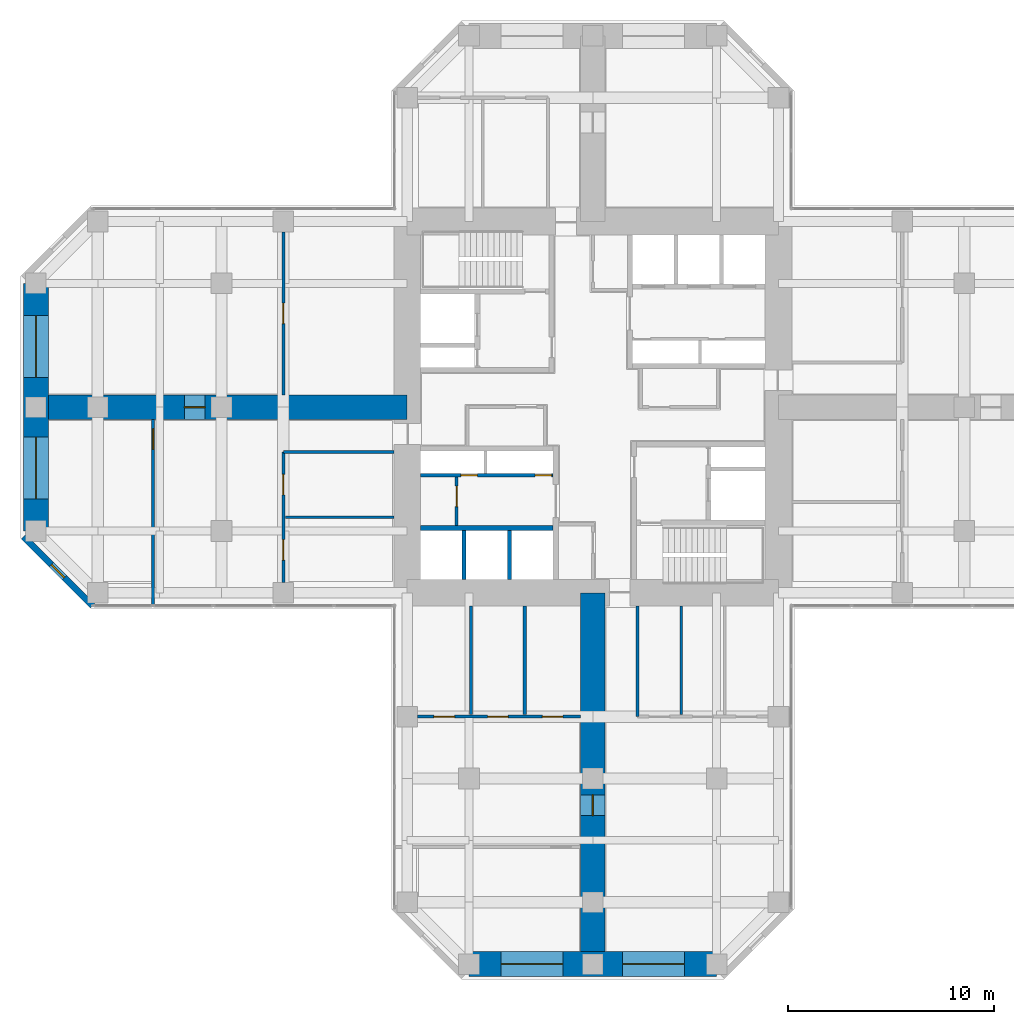
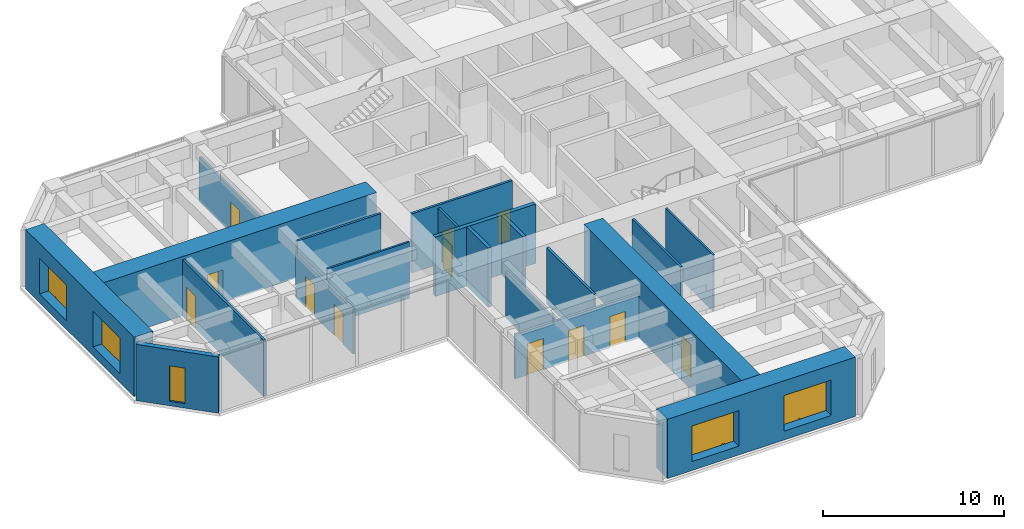
# One storey, part 8 of 12: 20 walls, 12 doors, 5 windows, 17 openings.
"""IFC4 building model written with IfcOpenShell, lengths in metres."""

from ifc_helpers import new_model, si_unit, direction, frame, frame_2d, origin, place, context, subcontext, project, spatial, rectangle, hollow_rectangle, extrude, material, layer, layer_set, constituent, constituent_set, type_object, element, fill, save


model = new_model("IFC4")

# Units and contexts
model_context = context("Model", 3, precision=1e-05, world=origin(), true_north=direction((0.0, 1.0)))
body_context = subcontext(model_context, "Body", "Model", "MODEL_VIEW")
ifc_project = project(units=[si_unit("LENGTHUNIT", "METRE"), si_unit("AREAUNIT", "SQUARE_METRE"), si_unit("VOLUMEUNIT", "CUBIC_METRE"), si_unit("PLANEANGLEUNIT", "RADIAN"), si_unit("MASSUNIT", "GRAM", prefix="KILO")], contexts=[model_context])

# Site, building, storey
site_placement = place(None, origin())
site = spatial("IfcSite", under=ifc_project, at=site_placement, CompositionType="ELEMENT")
building_placement = place(site_placement, origin())
building = spatial("IfcBuilding", under=site, at=building_placement, Name="Torre Cruceta", CompositionType="ELEMENT")
storey_placement = place(building_placement, frame((0.0, 0.0, 140.5)))
storey = spatial("IfcBuildingStorey", under=building, at=storey_placement, Name="L34", CompositionType="ELEMENT", Elevation=140.5)

# Wall
ifc_material_1 = material(Name="Concrete G60 (fck 60 MPa)", Category="concrete")
ifc_layer_1 = layer(ifc_material_1, 0.25)
ifc_layer_set_1 = layer_set([ifc_layer_1], Name="Concrete G60 (fck 60 MPa)")
wall_type_1 = type_object("IfcWallType", Name="CORE INNER WALL 250 G60", PredefinedType="SHEAR", material=ifc_layer_set_1)
wall_1_placement = place(storey_placement, frame((-1.925048828125, -5.85009765625, 0.0), z_axis=(0.0, 0.0, 1.0), x_axis=(-1.0, 0.0, 0.0)))
element("IfcWall", 1, at=wall_1_placement, inside=storey, type_object=wall_type_1, Name="CW4 L34 SW-LV", PredefinedType="SHEAR", context=body_context, shape_type="SweptSolid", body=[
    extrude(rectangle(XDim=6.425048828125, YDim=0.25, at=frame_2d((3.21240234375, 0.0))), origin(), (0.0, 0.0, 1.0), 4.0),
])

# Wall, opening, window
ifc_material_2 = material(Name="Concrete G30 (fck 30 MPa)", Category="concrete")
ifc_layer_2 = layer(ifc_material_2, 0.300048828125)
ifc_layer_set_2 = layer_set([ifc_layer_2], Name="Concrete G30 (fck 30 MPa)")
wall_type_2 = type_object("IfcWallType", Name="EXPOSED CONCRETE FACADE WALL 300", PredefinedType="SOLIDWALL", material=ifc_layer_set_2)
wall_2_placement = place(storey_placement, frame((-27.60009765625, -6.27685546875, 0.0), z_axis=(0.0, 0.0, 1.0), x_axis=(0.707106781187, -0.707106781187, 0.0)))
wall_2 = element("IfcWall", 2, at=wall_2_placement, inside=storey, type_object=wall_type_2, Name="EW1 facade wall L34 W chamfer 13", PredefinedType="SOLIDWALL", context=body_context, shape_type="SweptSolid", body=[
    extrude(rectangle(XDim=4.72802734375, YDim=0.300048828125, at=frame_2d((2.364013671875, 0.0))), origin(), (0.0, 0.0, 1.0), 3.800048828125),
])
opening_1_placement = place(wall_2_placement, frame((1.9140625, 0.0, 0.300048828125)))
opening_1 = element("IfcOpeningElement", 3, at=opening_1_placement, cuts=wall_2, Name="Opening WN5", PredefinedType="OPENING", context=body_context, shape_type="SweptSolid", body=[
    extrude(rectangle(XDim=0.89990234375, YDim=2.39990234375, at=frame_2d((0.449951171875, 1.199951171875))), frame((0.0, 0.159912109375, 0.0), z_axis=(0.0, -1.0, 0.0), x_axis=(1.0, 0.0, 0.0)), (0.0, 0.0, 1.0), 0.320068359375),
])
ifc_material_3 = material(Name="Aluminium window frame", Category="aluminium")
ifc_constituent_1 = constituent(ifc_material_3, Name="Frame")
ifc_material_4 = material(Name="Laminated insulating glass unit, low-iron clear", Category="glass")
ifc_constituent_2 = constituent(ifc_material_4, Name="Glazing")
ifc_constituent_set_1 = constituent_set(constituents=[ifc_constituent_1, ifc_constituent_2], Name="Aluminium window")
window_type_1 = type_object("IfcWindowType", Name="CHAMFER SLOT WINDOW 900X2400", PartitioningType="SINGLE_PANEL", PredefinedType="WINDOW", material=ifc_constituent_set_1)
window_1_placement = place(opening_1_placement, origin())
window_1 = element("IfcWindow", 4, at=window_1_placement, inside=storey, type_object=window_type_1, Name="WN5 L34 W 1", OverallHeight=2.39990234375, OverallWidth=0.89990234375, PartitioningType="SINGLE_PANEL", PredefinedType="WINDOW", context=body_context, shape_type="SweptSolid", body=[
    extrude(hollow_rectangle(XDim=0.89990234375, YDim=2.39990234375, WallThickness=0.06005859375, at=frame_2d((0.449951171875, 1.199951171875))), frame((0.0, 0.030029296875, 0.0), z_axis=(0.0, -1.0, 0.0), x_axis=(1.0, 0.0, 0.0)), (0.0, 0.0, 1.0), 0.06005859375),
    extrude(rectangle(XDim=0.77880859375, YDim=2.27880859375, at=frame_2d((0.449951171875, 1.199951171875))), frame((0.0, 0.030029296875, 0.0), z_axis=(0.0, -1.0, 0.0), x_axis=(1.0, 0.0, 0.0)), (0.0, 0.0, 1.0), 0.06005859375),
])
fill(opening_1, window_1)

# Walls
ifc_material_5 = material(Name="Concrete G35 (fck 35 MPa)", Category="concrete")
ifc_layer_3 = layer(ifc_material_5, 0.199951171875)
ifc_layer_set_3 = layer_set([ifc_layer_3], Name="Concrete G35 (fck 35 MPa)")
wall_type_3 = type_object("IfcWallType", Name="LIFT SHAFT WALL 200", PredefinedType="PARTITIONING", material=ifc_layer_set_3)
for number, where, z_axis, x_axis, name in (
    (5, (-4.033447265625, -5.97509765625, 0.0), (0.0, 0.0, 1.0), (0.0, -1.0, 0.0), "SW1 L34 SW-LS1"),
    (6, (-6.24169921875, -5.97509765625, 0.0), (0.0, 0.0, 1.0), (0.0, -1.0, 0.0), "SW1 L34 SW-LS2"),
):
    element("IfcWall", number, at=place(storey_placement, frame(where, z_axis=z_axis, x_axis=x_axis)), inside=storey, type_object=wall_type_3, Name=name, PredefinedType="PARTITIONING", context=body_context, shape_type="SweptSolid", body=[
        extrude(rectangle(XDim=2.375, YDim=0.199951171875, at=frame_2d((1.1875, 0.0))), origin(), (0.0, 0.0, 1.0), 4.0),
    ])

# Wall, openings, windows
ifc_material_6 = material(Name="Concrete G60 (fck 60 MPa)", Category="concrete")
ifc_layer_4 = layer(ifc_material_6, 1.199951171875)
ifc_layer_set_4 = layer_set([ifc_layer_4], Name="Concrete G60 (fck 60 MPa)")
wall_type_4 = type_object("IfcWallType", Name="NOSE WALL 1200 G60", PredefinedType="SHEAR", material=ifc_layer_set_4)
wall_3_placement = place(storey_placement, frame((-6.0, -27.0, 0.0), z_axis=(0.0, 0.0, 1.0), x_axis=(1.0, 0.0, 0.0)))
wall_3 = element("IfcWall", 7, at=wall_3_placement, inside=storey, type_object=wall_type_4, Name="NW1 nose wall L34 S", PredefinedType="SHEAR", context=body_context, shape_type="SweptSolid", body=[
    extrude(rectangle(XDim=12.0, YDim=1.199951171875, at=frame_2d((6.0, 0.0))), origin(), (0.0, 0.0, 1.0), 4.0),
])
opening_2_placement = place(wall_3_placement, frame((1.550048828125, 0.0, 0.60009765625)))
opening_2 = element("IfcOpeningElement", 8, at=opening_2_placement, cuts=wall_3, Name="Opening WN6", PredefinedType="OPENING", context=body_context, shape_type="SweptSolid", body=[
    extrude(rectangle(XDim=3.0, YDim=2.39990234375, at=frame_2d((1.5, 1.199951171875))), frame((0.0, 0.60986328125, 0.0), z_axis=(0.0, -1.0, 0.0), x_axis=(1.0, 0.0, 0.0)), (0.0, 0.0, 1.0), 1.219970703125),
])
opening_3_placement = place(wall_3_placement, frame((7.449951171875, 0.0, 0.60009765625)))
opening_3 = element("IfcOpeningElement", 9, at=opening_3_placement, cuts=wall_3, Name="Opening WN6", PredefinedType="OPENING", context=body_context, shape_type="SweptSolid", body=[
    extrude(rectangle(XDim=3.0, YDim=2.39990234375, at=frame_2d((1.5, 1.199951171875))), frame((0.0, 0.60986328125, 0.0), z_axis=(0.0, -1.0, 0.0), x_axis=(1.0, 0.0, 0.0)), (0.0, 0.0, 1.0), 1.219970703125),
])
ifc_material_7 = material(Name="Aluminium window frame", Category="aluminium")
ifc_constituent_3 = constituent(ifc_material_7, Name="Frame")
ifc_material_8 = material(Name="Laminated insulating glass unit, low-iron clear", Category="glass")
ifc_constituent_4 = constituent(ifc_material_8, Name="Glazing")
ifc_constituent_set_2 = constituent_set(constituents=[ifc_constituent_3, ifc_constituent_4], Name="Aluminium window")
window_type_2 = type_object("IfcWindowType", Name="NOSE WALL WINDOW 3000X2400", PartitioningType="SINGLE_PANEL", PredefinedType="WINDOW", material=ifc_constituent_set_2)
window_2_placement = place(opening_2_placement, origin())
window_2 = element("IfcWindow", 10, at=window_2_placement, inside=storey, type_object=window_type_2, Name="WN6 L34 S 1", OverallHeight=2.39990234375, OverallWidth=3.0, PartitioningType="SINGLE_PANEL", PredefinedType="WINDOW", context=body_context, shape_type="SweptSolid", body=[
    extrude(hollow_rectangle(XDim=3.0, YDim=2.39990234375, WallThickness=0.06005859375, at=frame_2d((1.5, 1.199951171875))), frame((0.0, 0.030029296875, 0.0), z_axis=(0.0, -1.0, 0.0), x_axis=(1.0, 0.0, 0.0)), (0.0, 0.0, 1.0), 0.06005859375),
    extrude(rectangle(XDim=2.87890625, YDim=2.27880859375, at=frame_2d((1.5, 1.199951171875))), frame((0.0, 0.030029296875, 0.0), z_axis=(0.0, -1.0, 0.0), x_axis=(1.0, 0.0, 0.0)), (0.0, 0.0, 1.0), 0.06005859375),
])
fill(opening_2, window_2)
window_3_placement = place(opening_3_placement, origin())
window_3 = element("IfcWindow", 11, at=window_3_placement, inside=storey, type_object=window_type_2, Name="WN6 L34 S 2", OverallHeight=2.39990234375, OverallWidth=3.0, PartitioningType="SINGLE_PANEL", PredefinedType="WINDOW", context=body_context, shape_type="SweptSolid", body=[
    extrude(hollow_rectangle(XDim=3.0, YDim=2.39990234375, WallThickness=0.06005859375, at=frame_2d((1.5, 1.199951171875))), frame((0.0, 0.030029296875, 0.0), z_axis=(0.0, -1.0, 0.0), x_axis=(1.0, 0.0, 0.0)), (0.0, 0.0, 1.0), 0.06005859375),
    extrude(rectangle(XDim=2.87890625, YDim=2.27880859375, at=frame_2d((1.5, 1.199951171875))), frame((0.0, 0.030029296875, 0.0), z_axis=(0.0, -1.0, 0.0), x_axis=(1.0, 0.0, 0.0)), (0.0, 0.0, 1.0), 0.06005859375),
])
fill(opening_3, window_3)

wall_4_placement = place(storey_placement, frame((-27.0, 6.0, 0.0), z_axis=(0.0, 0.0, 1.0), x_axis=(0.0, -1.0, 0.0)))
wall_4 = element("IfcWall", 12, at=wall_4_placement, inside=storey, type_object=wall_type_4, Name="NW1 nose wall L34 W", PredefinedType="SHEAR", context=body_context, shape_type="SweptSolid", body=[
    extrude(rectangle(XDim=12.0, YDim=1.199951171875, at=frame_2d((6.0, 0.0))), origin(), (0.0, 0.0, 1.0), 4.0),
])
opening_4_placement = place(wall_4_placement, frame((1.550048828125, 0.0, 0.60009765625)))
opening_4 = element("IfcOpeningElement", 13, at=opening_4_placement, cuts=wall_4, Name="Opening WN6", PredefinedType="OPENING", context=body_context, shape_type="SweptSolid", body=[
    extrude(rectangle(XDim=3.0, YDim=2.39990234375, at=frame_2d((1.5, 1.199951171875))), frame((0.0, 0.60986328125, 0.0), z_axis=(0.0, -1.0, 0.0), x_axis=(1.0, 0.0, 0.0)), (0.0, 0.0, 1.0), 1.219970703125),
])
opening_5_placement = place(wall_4_placement, frame((7.449951171875, 0.0, 0.60009765625)))
opening_5 = element("IfcOpeningElement", 14, at=opening_5_placement, cuts=wall_4, Name="Opening WN6", PredefinedType="OPENING", context=body_context, shape_type="SweptSolid", body=[
    extrude(rectangle(XDim=3.0, YDim=2.39990234375, at=frame_2d((1.5, 1.199951171875))), frame((0.0, 0.60986328125, 0.0), z_axis=(0.0, -1.0, 0.0), x_axis=(1.0, 0.0, 0.0)), (0.0, 0.0, 1.0), 1.219970703125),
])
window_4_placement = place(opening_4_placement, origin())
window_4 = element("IfcWindow", 15, at=window_4_placement, inside=storey, type_object=window_type_2, Name="WN6 L34 W 1", OverallHeight=2.39990234375, OverallWidth=3.0, PartitioningType="SINGLE_PANEL", PredefinedType="WINDOW", context=body_context, shape_type="SweptSolid", body=[
    extrude(hollow_rectangle(XDim=3.0, YDim=2.39990234375, WallThickness=0.06005859375, at=frame_2d((1.5, 1.199951171875))), frame((0.0, 0.030029296875, 0.0), z_axis=(0.0, -1.0, 0.0), x_axis=(1.0, 0.0, 0.0)), (0.0, 0.0, 1.0), 0.06005859375),
    extrude(rectangle(XDim=2.87890625, YDim=2.27880859375, at=frame_2d((1.5, 1.199951171875))), frame((0.0, 0.030029296875, 0.0), z_axis=(0.0, -1.0, 0.0), x_axis=(1.0, 0.0, 0.0)), (0.0, 0.0, 1.0), 0.06005859375),
])
fill(opening_4, window_4)
window_5_placement = place(opening_5_placement, origin())
window_5 = element("IfcWindow", 16, at=window_5_placement, inside=storey, type_object=window_type_2, Name="WN6 L34 W 2", OverallHeight=2.39990234375, OverallWidth=3.0, PartitioningType="SINGLE_PANEL", PredefinedType="WINDOW", context=body_context, shape_type="SweptSolid", body=[
    extrude(hollow_rectangle(XDim=3.0, YDim=2.39990234375, WallThickness=0.06005859375, at=frame_2d((1.5, 1.199951171875))), frame((0.0, 0.030029296875, 0.0), z_axis=(0.0, -1.0, 0.0), x_axis=(1.0, 0.0, 0.0)), (0.0, 0.0, 1.0), 0.06005859375),
    extrude(rectangle(XDim=2.87890625, YDim=2.27880859375, at=frame_2d((1.5, 1.199951171875))), frame((0.0, 0.030029296875, 0.0), z_axis=(0.0, -1.0, 0.0), x_axis=(1.0, 0.0, 0.0)), (0.0, 0.0, 1.0), 0.06005859375),
])
fill(opening_5, window_5)

# Wall, opening, door
ifc_material_9 = material(Name="Plasterboard on steel studs", Category="steel")
ifc_layer_5 = layer(ifc_material_9, 0.14990234375)
ifc_layer_set_5 = layer_set([ifc_layer_5], Name="Plasterboard on steel studs")
wall_type_5 = type_object("IfcWallType", Name="PARTITION 150", PredefinedType="PARTITIONING", material=ifc_layer_set_5)
wall_5_placement = place(storey_placement, frame((-6.60009765625, -3.375, 0.0), z_axis=(0.0, 0.0, 1.0), x_axis=(0.0, -1.0, 0.0)))
wall_5 = element("IfcWall", 17, at=wall_5_placement, inside=storey, type_object=wall_type_5, Name="PT1 L34-CORE-SW-X", PredefinedType="PARTITIONING", context=body_context, shape_type="SweptSolid", body=[
    extrude(rectangle(XDim=2.35009765625, YDim=0.14990234375, at=frame_2d((1.175048828125, 0.0))), origin(), (0.0, 0.0, 1.0), 3.800048828125),
])
opening_6_placement = place(wall_5_placement, frame((0.449951171875, 0.0, 0.0)))
opening_6 = element("IfcOpeningElement", 18, at=opening_6_placement, cuts=wall_5, Name="Opening D3", PredefinedType="OPENING", context=body_context, shape_type="SweptSolid", body=[
    extrude(rectangle(XDim=1.0, YDim=2.10009765625, at=frame_2d((0.5, 1.050048828125))), frame((0.0, 0.0849609375, 0.0), z_axis=(0.0, -1.0, 0.0), x_axis=(1.0, 0.0, 0.0)), (0.0, 0.0, 1.0), 0.169921875),
])
ifc_material_10 = material(Name="Steel DX51D", Category="steel")
ifc_constituent_5 = constituent(ifc_material_10, Name="Leaf and frame")
ifc_material_11 = material(Name="Polyester powder coating", Category="paint")
ifc_constituent_6 = constituent(ifc_material_11, Name="Finish")
ifc_constituent_set_3 = constituent_set(constituents=[ifc_constituent_5, ifc_constituent_6], Name="Steel fire door")
door_type_1 = type_object("IfcDoorType", Name="FIRE DOOR 1000X2100", OperationType="SINGLE_SWING_LEFT", PredefinedType="DOOR", material=ifc_constituent_set_3)
door_1_placement = place(opening_6_placement, frame((1.0, 0.0, 0.0), z_axis=(0.0, 0.0, 1.0), x_axis=(-1.0, 0.0, 0.0)))
door_1 = element("IfcDoor", 19, at=door_1_placement, inside=storey, type_object=door_type_1, Name="D3 L34-CORE-SW-X-D1", OperationType="SINGLE_SWING_RIGHT", OverallHeight=2.10009765625, OverallWidth=1.0, PredefinedType="DOOR", context=body_context, shape_type="SweptSolid", body=[
    extrude(rectangle(XDim=1.0, YDim=2.10009765625, at=frame_2d((0.5, 1.050048828125))), frame((0.0, 0.025146484375, 0.0), z_axis=(0.0, -1.0, 0.0), x_axis=(1.0, 0.0, 0.0)), (0.0, 0.0, 1.0), 0.050048828125),
])
fill(opening_6, door_1)

# Wall
wall_6_placement = place(storey_placement, frame((2.175048828125, -9.64990234375, 0.0), z_axis=(0.0, 0.0, 1.0), x_axis=(0.0, -1.0, 0.0)))
element("IfcWall", 20, at=wall_6_placement, inside=storey, type_object=wall_type_5, Name="PT1 L34-S-BSL", PredefinedType="PARTITIONING", context=body_context, shape_type="SweptSolid", body=[
    extrude(rectangle(XDim=5.35009765625, YDim=0.14990234375, at=frame_2d((2.675048828125, 0.0))), origin(), (0.0, 0.0, 1.0), 3.800048828125),
])

# Wall, openings, doors
wall_7_placement = place(storey_placement, frame((-8.5, -15.0, 0.0), z_axis=(0.0, 0.0, 1.0), x_axis=(1.0, 0.0, 0.0)))
wall_7 = element("IfcWall", 21, at=wall_7_placement, inside=storey, type_object=wall_type_5, Name="PT1 L34-S-BFR", PredefinedType="PARTITIONING", context=body_context, shape_type="SweptSolid", body=[
    extrude(rectangle(XDim=7.89990234375, YDim=0.14990234375, at=frame_2d((3.949951171875, 0.0))), origin(), (0.0, 0.0, 1.0), 3.0),
])
opening_7_placement = place(wall_7_placement, frame((0.800048828125, 0.0, 0.0)))
opening_7 = element("IfcOpeningElement", 22, at=opening_7_placement, cuts=wall_7, Name="Opening D3", PredefinedType="OPENING", context=body_context, shape_type="SweptSolid", body=[
    extrude(rectangle(XDim=1.0, YDim=2.10009765625, at=frame_2d((0.5, 1.050048828125))), frame((0.0, 0.0849609375, 0.0), z_axis=(0.0, -1.0, 0.0), x_axis=(1.0, 0.0, 0.0)), (0.0, 0.0, 1.0), 0.169921875),
])
opening_8_placement = place(wall_7_placement, frame((3.39990234375, 0.0, 0.0)))
opening_8 = element("IfcOpeningElement", 23, at=opening_8_placement, cuts=wall_7, Name="Opening D3", PredefinedType="OPENING", context=body_context, shape_type="SweptSolid", body=[
    extrude(rectangle(XDim=1.0, YDim=2.10009765625, at=frame_2d((0.5, 1.050048828125))), frame((0.0, 0.0849609375, 0.0), z_axis=(0.0, -1.0, 0.0), x_axis=(1.0, 0.0, 0.0)), (0.0, 0.0, 1.0), 0.169921875),
])
opening_9_placement = place(wall_7_placement, frame((6.050048828125, 0.0, 0.0)))
opening_9 = element("IfcOpeningElement", 24, at=opening_9_placement, cuts=wall_7, Name="Opening D3", PredefinedType="OPENING", context=body_context, shape_type="SweptSolid", body=[
    extrude(rectangle(XDim=1.0, YDim=2.10009765625, at=frame_2d((0.5, 1.050048828125))), frame((0.0, 0.0849609375, 0.0), z_axis=(0.0, -1.0, 0.0), x_axis=(1.0, 0.0, 0.0)), (0.0, 0.0, 1.0), 0.169921875),
])
door_2_placement = place(opening_7_placement, origin())
door_2 = element("IfcDoor", 25, at=door_2_placement, inside=storey, type_object=door_type_1, Name="D3 L34-S-BFR-D1", OperationType="SINGLE_SWING_RIGHT", OverallHeight=2.10009765625, OverallWidth=1.0, PredefinedType="DOOR", context=body_context, shape_type="SweptSolid", body=[
    extrude(rectangle(XDim=1.0, YDim=2.10009765625, at=frame_2d((0.5, 1.050048828125))), frame((0.0, 0.02490234375, 0.0), z_axis=(0.0, -1.0, 0.0), x_axis=(1.0, 0.0, 0.0)), (0.0, 0.0, 1.0), 0.050048828125),
])
fill(opening_7, door_2)
door_3_placement = place(opening_8_placement, origin())
door_3 = element("IfcDoor", 26, at=door_3_placement, inside=storey, type_object=door_type_1, Name="D3 L34-S-BFR-D2", OperationType="SINGLE_SWING_LEFT", OverallHeight=2.10009765625, OverallWidth=1.0, PredefinedType="DOOR", context=body_context, shape_type="SweptSolid", body=[
    extrude(rectangle(XDim=1.0, YDim=2.10009765625, at=frame_2d((0.5, 1.050048828125))), frame((0.0, 0.02490234375, 0.0), z_axis=(0.0, -1.0, 0.0), x_axis=(1.0, 0.0, 0.0)), (0.0, 0.0, 1.0), 0.050048828125),
])
fill(opening_8, door_3)
door_4_placement = place(opening_9_placement, origin())
door_4 = element("IfcDoor", 27, at=door_4_placement, inside=storey, type_object=door_type_1, Name="D3 L34-S-BFR-D3", OperationType="SINGLE_SWING_LEFT", OverallHeight=2.10009765625, OverallWidth=1.0, PredefinedType="DOOR", context=body_context, shape_type="SweptSolid", body=[
    extrude(rectangle(XDim=1.0, YDim=2.10009765625, at=frame_2d((0.5, 1.050048828125))), frame((0.0, 0.02490234375, 0.0), z_axis=(0.0, -1.0, 0.0), x_axis=(1.0, 0.0, 0.0)), (0.0, 0.0, 1.0), 0.050048828125),
])
fill(opening_9, door_4)

# Walls
wall_8_placement = place(storey_placement, frame((-3.300048828125, -9.64990234375, 0.0), z_axis=(0.0, 0.0, 1.0), x_axis=(0.0, -1.0, 0.0)))
element("IfcWall", 28, at=wall_8_placement, inside=storey, type_object=wall_type_5, Name="PT1 L34-S-BDR1", PredefinedType="PARTITIONING", context=body_context, shape_type="SweptSolid", body=[
    extrude(rectangle(XDim=5.25, YDim=0.14990234375, at=frame_2d((2.625, 0.0))), origin(), (0.0, 0.0, 1.0), 3.800048828125),
])
wall_9_placement = place(storey_placement, frame((-5.89990234375, -9.64990234375, 0.0), z_axis=(0.0, 0.0, 1.0), x_axis=(0.0, -1.0, 0.0)))
element("IfcWall", 29, at=wall_9_placement, inside=storey, type_object=wall_type_5, Name="PT1 L34-S-BDR2", PredefinedType="PARTITIONING", context=body_context, shape_type="SweptSolid", body=[
    extrude(rectangle(XDim=5.25, YDim=0.14990234375, at=frame_2d((2.625, 0.0))), origin(), (0.0, 0.0, 1.0), 3.10009765625),
])

# Wall, openings, doors
wall_10_placement = place(storey_placement, frame((-15.0, -2.175048828125, 0.0), z_axis=(0.0, 0.0, 1.0), x_axis=(0.0, -1.0, 0.0)))
wall_10 = element("IfcWall", 30, at=wall_10_placement, inside=storey, type_object=wall_type_5, Name="PT1 L34-W-BFL", PredefinedType="PARTITIONING", context=body_context, shape_type="SweptSolid", body=[
    extrude(rectangle(XDim=6.324951171875, YDim=0.14990234375, at=frame_2d((3.16259765625, 0.0))), origin(), (0.0, 0.0, 1.0), 3.0),
])
opening_10_placement = place(wall_10_placement, frame((1.081298828125, 0.0, 0.0)))
opening_10 = element("IfcOpeningElement", 31, at=opening_10_placement, cuts=wall_10, Name="Opening D3", PredefinedType="OPENING", context=body_context, shape_type="SweptSolid", body=[
    extrude(rectangle(XDim=1.0, YDim=2.10009765625, at=frame_2d((0.5, 1.050048828125))), frame((0.0, 0.0849609375, 0.0), z_axis=(0.0, -1.0, 0.0), x_axis=(1.0, 0.0, 0.0)), (0.0, 0.0, 1.0), 0.169921875),
])
opening_11_placement = place(wall_10_placement, frame((4.243896484375, 0.0, 0.0)))
opening_11 = element("IfcOpeningElement", 32, at=opening_11_placement, cuts=wall_10, Name="Opening D3", PredefinedType="OPENING", context=body_context, shape_type="SweptSolid", body=[
    extrude(rectangle(XDim=1.0, YDim=2.10009765625, at=frame_2d((0.5, 1.050048828125))), frame((0.0, 0.0849609375, 0.0), z_axis=(0.0, -1.0, 0.0), x_axis=(1.0, 0.0, 0.0)), (0.0, 0.0, 1.0), 0.169921875),
])
door_5_placement = place(opening_10_placement, origin())
door_5 = element("IfcDoor", 33, at=door_5_placement, inside=storey, type_object=door_type_1, Name="D3 L34-W-BFL-D1", OperationType="SINGLE_SWING_LEFT", OverallHeight=2.10009765625, OverallWidth=1.0, PredefinedType="DOOR", context=body_context, shape_type="SweptSolid", body=[
    extrude(rectangle(XDim=1.0, YDim=2.10009765625, at=frame_2d((0.5, 1.050048828125))), frame((0.0, 0.02490234375, 0.0), z_axis=(0.0, -1.0, 0.0), x_axis=(1.0, 0.0, 0.0)), (0.0, 0.0, 1.0), 0.050048828125),
])
fill(opening_10, door_5)
door_6_placement = place(opening_11_placement, origin())
door_6 = element("IfcDoor", 34, at=door_6_placement, inside=storey, type_object=door_type_1, Name="D3 L34-W-BFL-D2", OperationType="SINGLE_SWING_LEFT", OverallHeight=2.10009765625, OverallWidth=1.0, PredefinedType="DOOR", context=body_context, shape_type="SweptSolid", body=[
    extrude(rectangle(XDim=1.0, YDim=2.10009765625, at=frame_2d((0.5, 1.050048828125))), frame((0.0, 0.02490234375, 0.0), z_axis=(0.0, -1.0, 0.0), x_axis=(1.0, 0.0, 0.0)), (0.0, 0.0, 1.0), 0.050048828125),
])
fill(opening_11, door_6)

# Wall
wall_11_placement = place(storey_placement, frame((-9.64990234375, -2.175048828125, 0.0), z_axis=(0.0, 0.0, 1.0), x_axis=(-1.0, 0.0, 0.0)))
element("IfcWall", 35, at=wall_11_placement, inside=storey, type_object=wall_type_5, Name="PT1 L34-W-BSL", PredefinedType="PARTITIONING", context=body_context, shape_type="SweptSolid", body=[
    extrude(rectangle(XDim=5.35009765625, YDim=0.14990234375, at=frame_2d((2.675048828125, 0.0))), origin(), (0.0, 0.0, 1.0), 3.800048828125),
])

# Wall, opening, door
wall_12_placement = place(storey_placement, frame((-15.0, 8.5, 0.0), z_axis=(0.0, 0.0, 1.0), x_axis=(0.0, -1.0, 0.0)))
wall_12 = element("IfcWall", 36, at=wall_12_placement, inside=storey, type_object=wall_type_5, Name="PT1 L34-W-BFR", PredefinedType="PARTITIONING", context=body_context, shape_type="SweptSolid", body=[
    extrude(rectangle(XDim=7.89990234375, YDim=0.14990234375, at=frame_2d((3.949951171875, 0.0))), origin(), (0.0, 0.0, 1.0), 3.0),
])
opening_12_placement = place(wall_12_placement, frame((3.449951171875, 0.0, 0.0)))
opening_12 = element("IfcOpeningElement", 37, at=opening_12_placement, cuts=wall_12, Name="Opening D3", PredefinedType="OPENING", context=body_context, shape_type="SweptSolid", body=[
    extrude(rectangle(XDim=1.0, YDim=2.10009765625, at=frame_2d((0.5, 1.050048828125))), frame((0.0, 0.0849609375, 0.0), z_axis=(0.0, -1.0, 0.0), x_axis=(1.0, 0.0, 0.0)), (0.0, 0.0, 1.0), 0.169921875),
])
door_7_placement = place(opening_12_placement, origin())
door_7 = element("IfcDoor", 38, at=door_7_placement, inside=storey, type_object=door_type_1, Name="D3 L34-W-BFR-D1", OperationType="SINGLE_SWING_RIGHT", OverallHeight=2.10009765625, OverallWidth=1.0, PredefinedType="DOOR", context=body_context, shape_type="SweptSolid", body=[
    extrude(rectangle(XDim=1.0, YDim=2.10009765625, at=frame_2d((0.5, 1.050048828125))), frame((0.0, 0.02490234375, 0.0), z_axis=(0.0, -1.0, 0.0), x_axis=(1.0, 0.0, 0.0)), (0.0, 0.0, 1.0), 0.050048828125),
])
fill(opening_12, door_7)

wall_13_placement = place(storey_placement, frame((-21.320068359375, -0.60009765625, 0.0), z_axis=(0.0, 0.0, 1.0), x_axis=(0.0, -1.0, 0.0)))
wall_13 = element("IfcWall", 39, at=wall_13_placement, inside=storey, type_object=wall_type_5, Name="PT1 L34-W-TWL", PredefinedType="PARTITIONING", context=body_context, shape_type="SweptSolid", body=[
    extrude(rectangle(XDim=8.97998046875, YDim=0.14990234375, at=frame_2d((4.489990234375, 0.0))), origin(), (0.0, 0.0, 1.0), 3.800048828125),
])
opening_13_placement = place(wall_13_placement, frame((0.449951171875, 0.0, 0.0)))
opening_13 = element("IfcOpeningElement", 40, at=opening_13_placement, cuts=wall_13, Name="Opening D14", PredefinedType="OPENING", context=body_context, shape_type="SweptSolid", body=[
    extrude(rectangle(XDim=1.0, YDim=2.199951171875, at=frame_2d((0.5, 1.10009765625))), frame((0.0, 0.0849609375, 0.0), z_axis=(0.0, -1.0, 0.0), x_axis=(1.0, 0.0, 0.0)), (0.0, 0.0, 1.0), 0.169921875),
])
ifc_material_12 = material(Name="Steel DX51D", Category="steel")
ifc_constituent_7 = constituent(ifc_material_12, Name="Leaf and frame")
ifc_material_13 = material(Name="Polyester powder coating", Category="paint")
ifc_constituent_8 = constituent(ifc_material_13, Name="Finish")
ifc_material_14 = material(Name="Fire-resisting glass", Category="glass")
ifc_constituent_9 = constituent(ifc_material_14, Name="Vision panel")
ifc_constituent_set_4 = constituent_set(constituents=[ifc_constituent_7, ifc_constituent_8, ifc_constituent_9], Name="Steel fire door with vision panel")
door_type_2 = type_object("IfcDoorType", Name="FIRE DOOR VISION PANEL 1000X2200", OperationType="SINGLE_SWING_RIGHT", PredefinedType="DOOR", material=ifc_constituent_set_4)
door_8_placement = place(opening_13_placement, frame((1.0, 0.0, 0.0), z_axis=(0.0, 0.0, 1.0), x_axis=(-1.0, 0.0, 0.0)))
door_8 = element("IfcDoor", 41, at=door_8_placement, inside=storey, type_object=door_type_2, Name="D14 L34-W-TWL-D1", OperationType="SINGLE_SWING_RIGHT", OverallHeight=2.199951171875, OverallWidth=1.0, PredefinedType="DOOR", context=body_context, shape_type="SweptSolid", body=[
    extrude(rectangle(XDim=1.0, YDim=2.199951171875, at=frame_2d((0.5, 1.10009765625))), frame((0.0, 0.025146484375, 0.0), z_axis=(0.0, -1.0, 0.0), x_axis=(1.0, 0.0, 0.0)), (0.0, 0.0, 1.0), 0.050048828125),
])
fill(opening_13, door_8)

# Wall, openings, doors
ifc_material_15 = material(Name="Concrete block masonry", Category="masonry")
ifc_layer_6 = layer(ifc_material_15, 0.14990234375)
ifc_layer_set_6 = layer_set([ifc_layer_6], Name="Concrete block masonry")
wall_type_6 = type_object("IfcWallType", Name="RISER WALL 150", PredefinedType="PARTITIONING", material=ifc_layer_set_6)
wall_14_placement = place(storey_placement, frame((-1.925048828125, -3.300048828125, 0.0), z_axis=(0.0, 0.0, 1.0), x_axis=(-1.0, 0.0, 0.0)))
wall_14 = element("IfcWall", 42, at=wall_14_placement, inside=storey, type_object=wall_type_6, Name="SW7 L34 SW-RV", PredefinedType="PARTITIONING", context=body_context, shape_type="SweptSolid", body=[
    extrude(rectangle(XDim=6.425048828125, YDim=0.14990234375, at=frame_2d((3.21240234375, 0.0))), origin(), (0.0, 0.0, 1.0), 4.0),
])
opening_14_placement = place(wall_14_placement, frame((0.074951171875, 0.0, 0.0)))
opening_14 = element("IfcOpeningElement", 43, at=opening_14_placement, cuts=wall_14, Name="Opening D5", PredefinedType="OPENING", context=body_context, shape_type="SweptSolid", body=[
    extrude(rectangle(XDim=0.800048828125, YDim=2.10009765625, at=frame_2d((0.39990234375, 1.050048828125))), frame((0.0, 0.0849609375, 0.0), z_axis=(0.0, -1.0, 0.0), x_axis=(1.0, 0.0, 0.0)), (0.0, 0.0, 1.0), 0.169921875),
])
opening_15_placement = place(wall_14_placement, frame((3.675048828125, 0.0, 0.0)))
opening_15 = element("IfcOpeningElement", 44, at=opening_15_placement, cuts=wall_14, Name="Opening D5", PredefinedType="OPENING", context=body_context, shape_type="SweptSolid", body=[
    extrude(rectangle(XDim=0.800048828125, YDim=2.10009765625, at=frame_2d((0.39990234375, 1.050048828125))), frame((0.0, 0.0849609375, 0.0), z_axis=(0.0, -1.0, 0.0), x_axis=(1.0, 0.0, 0.0)), (0.0, 0.0, 1.0), 0.169921875),
])
ifc_material_16 = material(Name="Steel DX51D", Category="steel")
ifc_constituent_10 = constituent(ifc_material_16, Name="Leaf and frame")
ifc_material_17 = material(Name="Polyester powder coating", Category="paint")
ifc_constituent_11 = constituent(ifc_material_17, Name="Finish")
ifc_constituent_set_5 = constituent_set(constituents=[ifc_constituent_10, ifc_constituent_11], Name="Steel fire door")
door_type_3 = type_object("IfcDoorType", Name="RISER ACCESS DOOR 800X2100", OperationType="SINGLE_SWING_LEFT", PredefinedType="DOOR", material=ifc_constituent_set_5)
door_9_placement = place(opening_14_placement, frame((0.800048828125, 0.0, 0.0), z_axis=(0.0, 0.0, 1.0), x_axis=(-1.0, 0.0, 0.0)))
door_9 = element("IfcDoor", 45, at=door_9_placement, inside=storey, type_object=door_type_3, Name="D5 L34 SW-RISER1", OperationType="SINGLE_SWING_RIGHT", OverallHeight=2.10009765625, OverallWidth=0.800048828125, PredefinedType="DOOR", context=body_context, shape_type="SweptSolid", body=[
    extrude(rectangle(XDim=0.800048828125, YDim=2.10009765625, at=frame_2d((0.400146484375, 1.050048828125))), frame((0.0, 0.025146484375, 0.0), z_axis=(0.0, -1.0, 0.0), x_axis=(1.0, 0.0, 0.0)), (0.0, 0.0, 1.0), 0.050048828125),
])
fill(opening_14, door_9)
door_10_placement = place(opening_15_placement, frame((0.800048828125, 0.0, 0.0), z_axis=(0.0, 0.0, 1.0), x_axis=(-1.0, 0.0, 0.0)))
door_10 = element("IfcDoor", 46, at=door_10_placement, inside=storey, type_object=door_type_3, Name="D5 L34 SW-RISER2", OperationType="SINGLE_SWING_RIGHT", OverallHeight=2.10009765625, OverallWidth=0.800048828125, PredefinedType="DOOR", context=body_context, shape_type="SweptSolid", body=[
    extrude(rectangle(XDim=0.800048828125, YDim=2.10009765625, at=frame_2d((0.400146484375, 1.050048828125))), frame((0.0, 0.025146484375, 0.0), z_axis=(0.0, -1.0, 0.0), x_axis=(1.0, 0.0, 0.0)), (0.0, 0.0, 1.0), 0.050048828125),
])
fill(opening_15, door_10)

# Wall, opening, door
ifc_material_18 = material(Name="Concrete G60 (fck 60 MPa)", Category="concrete")
ifc_layer_7 = layer(ifc_material_18, 1.199951171875)
ifc_layer_set_7 = layer_set([ifc_layer_7], Name="Concrete G60 (fck 60 MPa)")
wall_type_7 = type_object("IfcWallType", Name="SPINE WALL 1200 G60", PredefinedType="SHEAR", material=ifc_layer_set_7)
wall_15_placement = place(storey_placement, frame((0.0, -9.0, 0.0), z_axis=(0.0, 0.0, 1.0), x_axis=(0.0, -1.0, 0.0)))
wall_15 = element("IfcWall", 47, at=wall_15_placement, inside=storey, type_object=wall_type_7, Name="SW3 spine wall L34 S", PredefinedType="SHEAR", context=body_context, shape_type="SweptSolid", body=[
    extrude(rectangle(XDim=18.0, YDim=1.199951171875, at=frame_2d((9.0, 0.0))), origin(), (0.0, 0.0, 1.0), 4.0),
])
opening_16_placement = place(wall_15_placement, frame((9.800048828125, 0.0, 0.0)))
opening_16 = element("IfcOpeningElement", 48, at=opening_16_placement, cuts=wall_15, Name="Opening D14", PredefinedType="OPENING", context=body_context, shape_type="SweptSolid", body=[
    extrude(rectangle(XDim=1.0, YDim=2.199951171875, at=frame_2d((0.5, 1.10009765625))), frame((0.0, 0.60986328125, 0.0), z_axis=(0.0, -1.0, 0.0), x_axis=(1.0, 0.0, 0.0)), (0.0, 0.0, 1.0), 1.219970703125),
])
door_11_placement = place(opening_16_placement, frame((1.0, 0.0, 0.0), z_axis=(0.0, 0.0, 1.0), x_axis=(-1.0, 0.0, 0.0)))
door_11 = element("IfcDoor", 49, at=door_11_placement, inside=storey, type_object=door_type_2, Name="D14 L34-S-SP1", OperationType="SINGLE_SWING_LEFT", OverallHeight=2.199951171875, OverallWidth=1.0, PredefinedType="DOOR", context=body_context, shape_type="SweptSolid", body=[
    extrude(rectangle(XDim=1.0, YDim=2.199951171875, at=frame_2d((0.5, 1.10009765625))), frame((0.0, 0.025146484375, 0.0), z_axis=(0.0, -1.0, 0.0), x_axis=(1.0, 0.0, 0.0)), (0.0, 0.0, 1.0), 0.050048828125),
])
fill(opening_16, door_11)

wall_16_placement = place(storey_placement, frame((-9.0, 0.0, 0.0), z_axis=(0.0, 0.0, 1.0), x_axis=(-1.0, 0.0, 0.0)))
wall_16 = element("IfcWall", 50, at=wall_16_placement, inside=storey, type_object=wall_type_7, Name="SW3 spine wall L34 W", PredefinedType="SHEAR", context=body_context, shape_type="SweptSolid", body=[
    extrude(rectangle(XDim=18.0, YDim=1.199951171875, at=frame_2d((9.0, 0.0))), origin(), (0.0, 0.0, 1.0), 4.0),
])
opening_17_placement = place(wall_16_placement, frame((9.800048828125, 0.0, 0.0)))
opening_17 = element("IfcOpeningElement", 51, at=opening_17_placement, cuts=wall_16, Name="Opening D14", PredefinedType="OPENING", context=body_context, shape_type="SweptSolid", body=[
    extrude(rectangle(XDim=1.0, YDim=2.199951171875, at=frame_2d((0.5, 1.10009765625))), frame((0.0, 0.60986328125, 0.0), z_axis=(0.0, -1.0, 0.0), x_axis=(1.0, 0.0, 0.0)), (0.0, 0.0, 1.0), 1.219970703125),
])
door_12_placement = place(opening_17_placement, origin())
door_12 = element("IfcDoor", 52, at=door_12_placement, inside=storey, type_object=door_type_2, Name="D14 L34-W-SP1", OperationType="SINGLE_SWING_RIGHT", OverallHeight=2.199951171875, OverallWidth=1.0, PredefinedType="DOOR", context=body_context, shape_type="SweptSolid", body=[
    extrude(rectangle(XDim=1.0, YDim=2.199951171875, at=frame_2d((0.5, 1.10009765625))), frame((0.0, 0.02490234375, 0.0), z_axis=(0.0, -1.0, 0.0), x_axis=(1.0, 0.0, 0.0)), (0.0, 0.0, 1.0), 0.050048828125),
])
fill(opening_17, door_12)

# Walls
ifc_material_19 = material(Name="Plasterboard on steel studs", Category="steel")
ifc_layer_8 = layer(ifc_material_19, 0.1201171875)
ifc_layer_set_8 = layer_set([ifc_layer_8], Name="Plasterboard on steel studs")
wall_type_8 = type_object("IfcWallType", Name="WC PARTITION 120", PredefinedType="PLUMBINGWALL", material=ifc_layer_set_8)
for number, where, z_axis, x_axis, name in (
    (53, (4.283447265625, -9.64990234375, 0.0), (0.0, 0.0, 1.0), (0.0, -1.0, 0.0), "PT5 L34-S-BDL1"),
    (54, (-9.64990234375, -5.33740234375, 0.0), (0.0, 0.0, 1.0), (-1.0, 0.0, 0.0), "PT5 L34-W-BDL1"),
):
    element("IfcWall", number, at=place(storey_placement, frame(where, z_axis=z_axis, x_axis=x_axis)), inside=storey, type_object=wall_type_8, Name=name, PredefinedType="PLUMBINGWALL", context=body_context, shape_type="SweptSolid", body=[
        extrude(rectangle(XDim=5.25, YDim=0.1201171875, at=frame_2d((2.625, 0.0))), origin(), (0.0, 0.0, 1.0), 3.800048828125),
    ])

save(model, "model.ifc")
